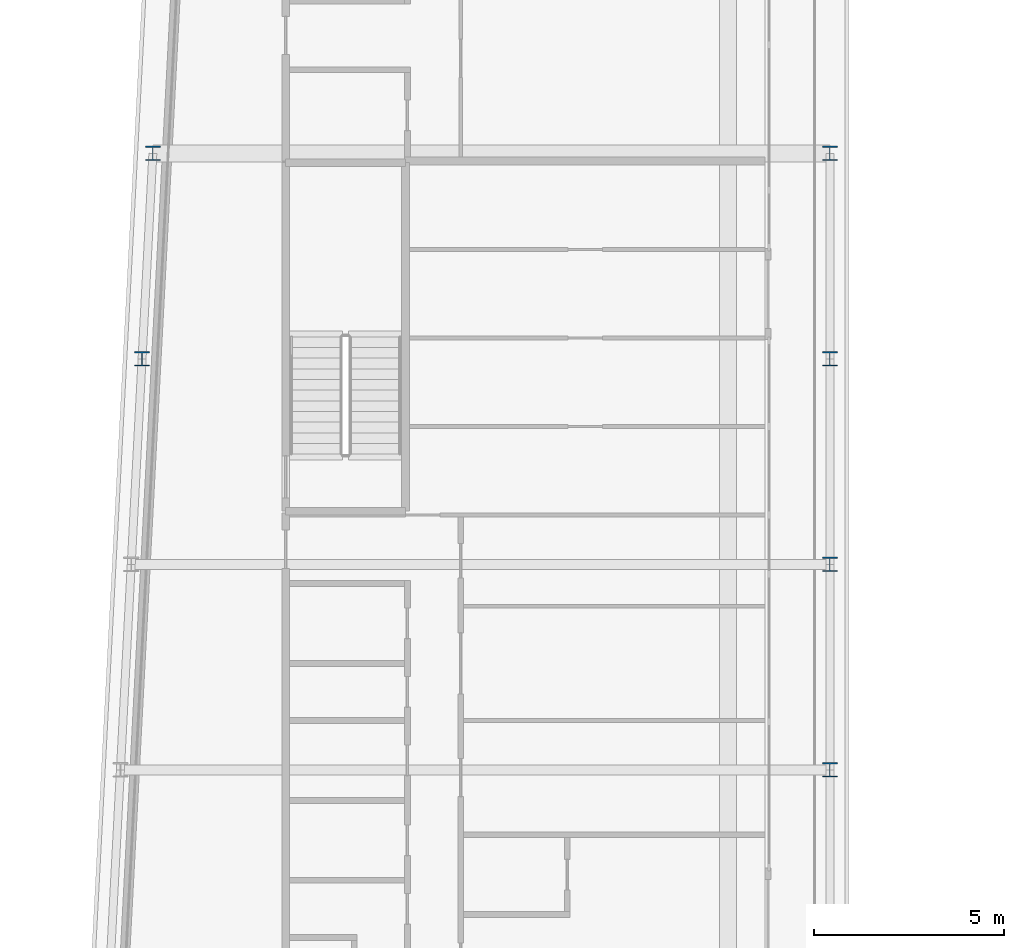
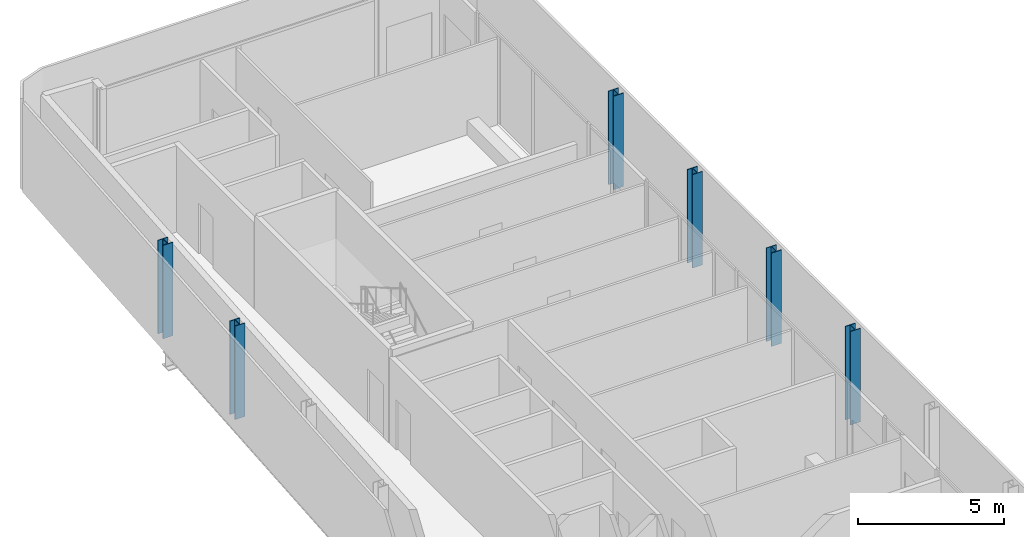
# One storey, part 4 of 22: 6 columns.
"""IFC4 building model written with IfcOpenShell, lengths in metres."""

from ifc_helpers import new_model, si_unit, direction, frame, origin, origin_2d, place, context, subcontext, project, spatial, i_section, extrude, material, material_profile, profile_set, type_object, element, save


model = new_model("IFC4")

# Units and contexts
model_context = context("Model", 3, precision=1e-05, world=origin(), true_north=direction((0.0, 1.0)))
body_context = subcontext(model_context, "Body", "Model", "MODEL_VIEW")
ifc_project = project(units=[si_unit("LENGTHUNIT", "METRE"), si_unit("AREAUNIT", "SQUARE_METRE"), si_unit("VOLUMEUNIT", "CUBIC_METRE"), si_unit("PLANEANGLEUNIT", "RADIAN"), si_unit("MASSUNIT", "GRAM", prefix="KILO")], contexts=[model_context])

# Site, building, storey
site_placement = place(None, origin())
site = spatial("IfcSite", under=ifc_project, at=site_placement, CompositionType="ELEMENT")
building_placement = place(site_placement, origin())
building = spatial("IfcBuilding", under=site, at=building_placement, Name="Kheshtan School and Residences Tower", CompositionType="ELEMENT")
storey_placement = place(building_placement, frame((0.0, 0.0, 274.699951171875)))
storey = spatial("IfcBuildingStorey", under=building, at=storey_placement, Name="L64", CompositionType="ELEMENT", Elevation=274.699951171875)

# Columns
ifc_material = material(Name="Steel ASTM A992 Grade 50", Category="steel")
ifc_material_profile = material_profile(ifc_material, i_section(OverallWidth=0.39501953125, OverallDepth=0.3798828125, WebThickness=0.018798828125, FlangeThickness=0.0302734375, FilletRadius=0.011474609375, at=origin_2d()), Name="W360x237")
ifc_profile_set = profile_set([ifc_material_profile], Name="Steel ASTM A992 Grade 50")
column_type = type_object("IfcColumnType", Name="Column C5 W360x237 ASTM A992 Grade 50", PredefinedType="COLUMN", material=ifc_profile_set)
for number, where, z_axis, x_axis, name in (
    (1, (47.60009765625, 72.60009765625, 0.0), (0.0, 0.0, 1.0), (1.0, 0.0, 0.0), "Column C087"),
    (2, (47.60009765625, 78.0, 0.0), (0.0, 0.0, 1.0), (1.0, 0.0, 0.0), "Column C089"),
    (3, (29.527099609375, 83.39990234375, 0.0), (0.0, 0.0, 1.0), (1.0, 0.0, 0.0), "Column C090"),
    (4, (47.60009765625, 83.39990234375, 0.0), (0.0, 0.0, 1.0), (1.0, 0.0, 0.0), "Column C091"),
    (5, (29.81103515625, 88.800048828125, 0.0), (0.0, 0.0, 1.0), (1.0, 0.0, 0.0), "Column C098"),
    (6, (47.60009765625, 88.800048828125, 0.0), (0.0, 0.0, 1.0), (1.0, 0.0, 0.0), "Column C099"),
):
    element("IfcColumn", number, at=place(storey_placement, frame(where, z_axis=z_axis, x_axis=x_axis)), inside=storey, type_object=column_type, Name=name, PredefinedType="COLUMN", context=body_context, shape_type="SweptSolid", body=[
        extrude(i_section(OverallWidth=0.39501953125, OverallDepth=0.3798828125, WebThickness=0.018798828125, FlangeThickness=0.0302734375, FilletRadius=0.011474609375, at=origin_2d()), origin(), (0.0, 0.0, 1.0), 3.900146484375),
    ])

save(model, "model.ifc")
